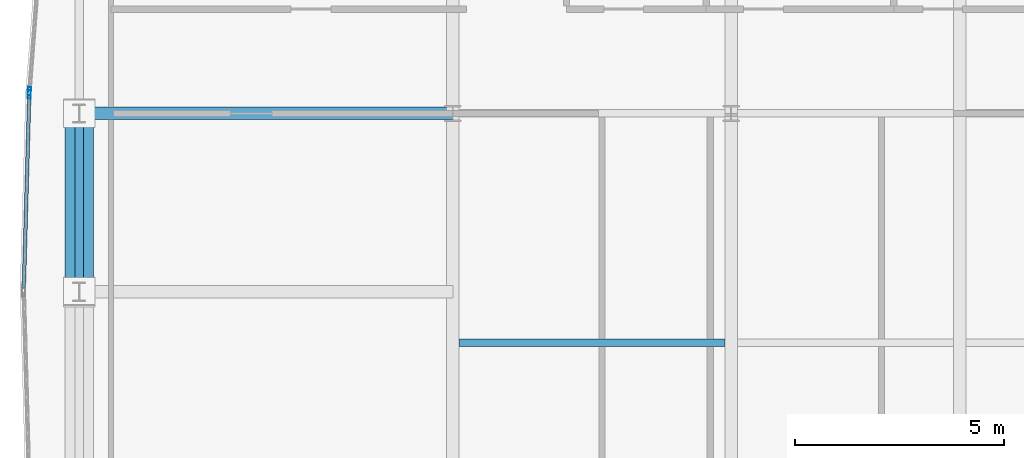
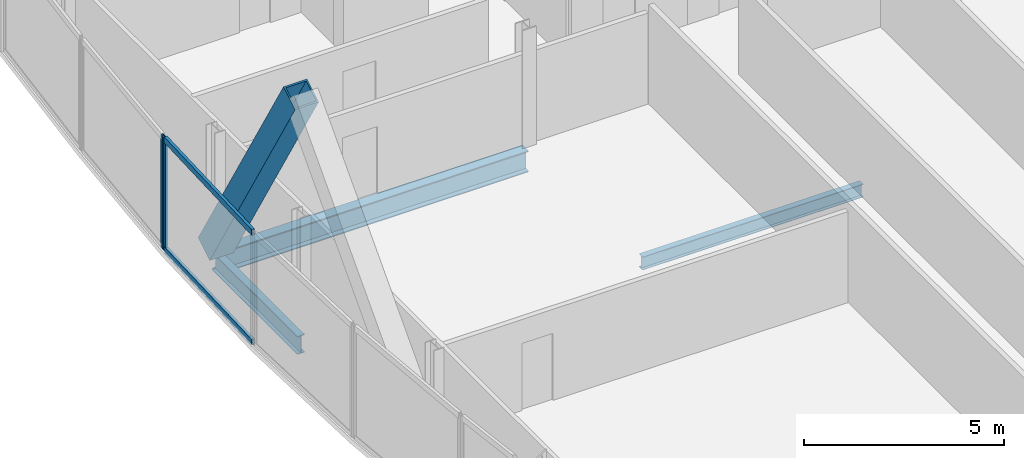
# One storey, part 11 of 30: 5 members, 3 beams, 2 elements without a shape of their own.
"""IFC4 building model written with IfcOpenShell, lengths in metres."""

from ifc_helpers import new_model, si_unit, direction, frame, origin, origin_2d, place, context, subcontext, project, spatial, hollow_rectangle, i_section, extrude, material, material_profile, profile_set, type_object, element, aggregate, save


model = new_model("IFC4")

# Units and contexts
model_context = context("Model", 3, precision=1e-05, world=origin(), true_north=direction((0.0, 1.0)))
body_context = subcontext(model_context, "Body", "Model", "MODEL_VIEW")
ifc_project = project(units=[si_unit("LENGTHUNIT", "METRE"), si_unit("AREAUNIT", "SQUARE_METRE"), si_unit("VOLUMEUNIT", "CUBIC_METRE"), si_unit("PLANEANGLEUNIT", "RADIAN"), si_unit("MASSUNIT", "GRAM", prefix="KILO")], contexts=[model_context])

# Site, building, storey
site_placement = place(None, origin())
site = spatial("IfcSite", under=ifc_project, at=site_placement, CompositionType="ELEMENT")
building_placement = place(site_placement, origin())
building = spatial("IfcBuilding", under=site, at=building_placement, Name="Khoronbel Lancet Exchange", CompositionType="ELEMENT")
storey_placement = place(building_placement, frame((0.0, 0.0, 284.199951171875)))
storey = spatial("IfcBuildingStorey", under=building, at=storey_placement, Name="L73", CompositionType="ELEMENT", Elevation=284.199951171875)

# Beams
ifc_material_1 = material(Name="Steel S355", Category="steel")
ifc_material_profile_1 = material_profile(ifc_material_1, i_section(OverallWidth=0.300048828125, OverallDepth=0.64990234375, WebThickness=0.01611328125, FlangeThickness=0.031005859375, at=origin_2d()), Name="HEB 650")
ifc_profile_set_1 = profile_set([ifc_material_profile_1], Name="Steel S355")
beam_type_1 = type_object("IfcBeamType", Name="BM-BG4", PredefinedType="BEAM", material=ifc_profile_set_1)
beam_1_placement = place(storey_placement, frame((9.27001953125, 35.699951171875, -0.48486328125), z_axis=(1.0, 0.0, 0.0), x_axis=(0.0, 1.0, 0.0)))
element("IfcBeam", 1, at=beam_1_placement, inside=storey, type_object=beam_type_1, Name="Level L73 west lens tie girder LG4W", PredefinedType="BEAM", context=body_context, shape_type="SweptSolid", body=[
    extrude(i_section(OverallWidth=0.300048828125, OverallDepth=0.64990234375, WebThickness=0.01611328125, FlangeThickness=0.031005859375, at=origin_2d()), origin(), (0.0, 0.0, 1.0), 8.955078125),
])
ifc_material_profile_2 = material_profile(ifc_material_1, i_section(OverallWidth=0.179931640625, OverallDepth=0.39990234375, WebThickness=0.008544921875, FlangeThickness=0.013427734375, at=origin_2d()), Name="IPE 400")
ifc_profile_set_2 = profile_set([ifc_material_profile_2], Name="Steel S355")
beam_type_2 = type_object("IfcBeamType", Name="BM-BJ5", PredefinedType="JOIST", material=ifc_profile_set_2)
beam_2_placement = place(storey_placement, frame((18.375, 30.199951171875, -0.35986328125), z_axis=(1.0, 0.0, 0.0), x_axis=(0.0, 1.0, 0.0)))
element("IfcBeam", 2, at=beam_2_placement, inside=storey, type_object=beam_type_2, Name="Level L73 secondary composite joist J11", PredefinedType="JOIST", context=body_context, shape_type="SweptSolid", body=[
    extrude(i_section(OverallWidth=0.179931640625, OverallDepth=0.39990234375, WebThickness=0.008544921875, FlangeThickness=0.013427734375, at=origin_2d()), origin(), (0.0, 0.0, 1.0), 6.375),
])
ifc_material_profile_3 = material_profile(ifc_material_1, i_section(OverallWidth=0.2099609375, OverallDepth=0.550048828125, WebThickness=0.010986328125, FlangeThickness=0.01708984375, at=origin_2d()), Name="IPE 550")
ifc_profile_set_3 = profile_set([ifc_material_profile_3], Name="Steel S355")
beam_type_3 = type_object("IfcBeamType", Name="BM-BSP3", PredefinedType="SPANDREL", material=ifc_profile_set_3)
beam_3_placement = place(storey_placement, frame((9.27001953125, 35.699951171875, -0.43505859375), z_axis=(0.0, -1.0, 0.0), x_axis=(1.0, 0.0, 0.0)))
element("IfcBeam", 3, at=beam_3_placement, inside=storey, type_object=beam_type_3, Name="Level L73 perimeter spandrel beam SP18", PredefinedType="SPANDREL", context=body_context, shape_type="SweptSolid", body=[
    extrude(i_section(OverallWidth=0.2099609375, OverallDepth=0.550048828125, WebThickness=0.010986328125, FlangeThickness=0.01708984375, at=origin_2d()), origin(), (0.0, 0.0, 1.0), 4.27490234375),
])

# Curtain wall, member
ifc_material_2 = material(Name="Low-E Solar Control Insulating Glass", Category="glass")
curtain_wall_type = type_object("IfcCurtainWallType", Name="CW-4", PredefinedType="NOTDEFINED", material=ifc_material_2)
curtain_wall_1_placement = place(storey_placement, origin())
curtain_wall_1 = element("IfcCurtainWall", 4, at=curtain_wall_1_placement, inside=storey, type_object=curtain_wall_type, Name="Unitised curtain wall CW-L73-E07", PredefinedType="NOTDEFINED")
ifc_material_3 = material(Name="Bronze-Anodised Aluminium 6063-T6", Category="aluminium")
ifc_material_profile_4 = material_profile(ifc_material_3, hollow_rectangle(XDim=0.074951171875, YDim=0.199951171875, WallThickness=0.0048828125, at=origin_2d()), Name="ALU MULLION 75x200")
ifc_profile_set_4 = profile_set([ifc_material_profile_4], Name="Bronze-Anodised Aluminium 6063-T6")
member_type_1 = type_object("IfcMemberType", Name="MEM-CWM2", PredefinedType="MULLION", material=ifc_profile_set_4)
member_1_placement = place(storey_placement, frame((8.07275390625, 36.15771484375, 0.0), z_axis=(0.0, 0.0, 1.0), x_axis=(-0.999602126917, 0.028206167106, 0.0)))
member_1 = element("IfcMember", 5, at=member_1_placement, type_object=member_type_1, Name="CW4 mullion 2", PredefinedType="MULLION", context=body_context, shape_type="SweptSolid", body=[
    extrude(hollow_rectangle(XDim=0.074951171875, YDim=0.199951171875, WallThickness=0.0048828125, at=origin_2d()), origin(), (0.0, 0.0, 1.0), 3.43994140625),
])

curtain_wall_2_placement = place(storey_placement, origin())
curtain_wall_2 = element("IfcCurtainWall", 6, at=curtain_wall_2_placement, inside=storey, type_object=curtain_wall_type, Name="Unitised curtain wall CW-L73-E08", PredefinedType="NOTDEFINED")
member_2_placement = place(storey_placement, frame((8.07666015625, 36.232666015625, 0.0), z_axis=(0.0, 0.0, 1.0), x_axis=(-0.997045087155, 0.076818579658, 0.0)))
member_2 = element("IfcMember", 7, at=member_2_placement, type_object=member_type_1, Name="CW4 mullion 1", PredefinedType="MULLION", context=body_context, shape_type="SweptSolid", body=[
    extrude(hollow_rectangle(XDim=0.074951171875, YDim=0.199951171875, WallThickness=0.0048828125, at=origin_2d()), origin(), (0.0, 0.0, 1.0), 3.43994140625),
])
aggregate(curtain_wall_2, [member_2])

# Member
ifc_material_profile_5 = material_profile(ifc_material_3, hollow_rectangle(XDim=0.0849609375, YDim=0.179931640625, WallThickness=0.0048828125, at=origin_2d()), Name="ALU TRANSOM 85x180")
ifc_profile_set_5 = profile_set([ifc_material_profile_5], Name="Bronze-Anodised Aluminium 6063-T6")
member_type_2 = type_object("IfcMemberType", Name="MEM-CWT1", PredefinedType="USERDEFINED", material=ifc_profile_set_5)
member_3_placement = place(storey_placement, frame((7.942138671875, 31.52490234375, 0.04248046875), z_axis=(0.028198950088, 0.999602330536, 0.0), x_axis=(-0.999602330536, 0.028198950088, 0.0)))
member_3 = element("IfcMember", 8, at=member_3_placement, type_object=member_type_2, Name="CW4 transom 1.1", ObjectType="TRANSOM", PredefinedType="USERDEFINED", context=body_context, shape_type="SweptSolid", body=[
    extrude(hollow_rectangle(XDim=0.0849609375, YDim=0.179931640625, WallThickness=0.0048828125, at=origin_2d()), origin(), (0.0, 0.0, 1.0), 4.59716796875),
])

member_4_placement = place(storey_placement, frame((7.942138671875, 31.52490234375, 3.3974609375), z_axis=(0.028198950088, 0.999602330536, 0.0), x_axis=(-0.999602330536, 0.028198950088, 0.0)))
member_4 = element("IfcMember", 9, at=member_4_placement, type_object=member_type_2, Name="CW4 transom 1.2", ObjectType="TRANSOM", PredefinedType="USERDEFINED", context=body_context, shape_type="SweptSolid", body=[
    extrude(hollow_rectangle(XDim=0.0849609375, YDim=0.179931640625, WallThickness=0.0048828125, at=origin_2d()), origin(), (0.0, 0.0, 1.0), 4.59716796875),
])

aggregate(curtain_wall_1, [member_1, member_3, member_4])

ifc_material_4 = material(Name="Steel S460", Category="steel")
ifc_material_profile_6 = material_profile(ifc_material_4, hollow_rectangle(XDim=0.679931640625, YDim=0.679931640625, WallThickness=0.044921875, at=origin_2d()), Name="BOX 680x680x45")
ifc_profile_set_6 = profile_set([ifc_material_profile_6], Name="Steel S460")
member_type_3 = type_object("IfcMemberType", Name="MEM-MB3", PredefinedType="BRACE", material=ifc_profile_set_6)
member_5_placement = place(storey_placement, frame((9.27001953125, 35.699951171875, 0.0), z_axis=(0.0, -0.510532691247, 0.859858343664), x_axis=(1.0, 0.0, 0.0)))
element("IfcMember", 10, at=member_5_placement, inside=storey, type_object=member_type_3, Name="Perimeter lancet brace tier 25 W-P-R", PredefinedType="BRACE", context=body_context, shape_type="SweptSolid", body=[
    extrude(hollow_rectangle(XDim=0.679931640625, YDim=0.679931640625, WallThickness=0.044921875, at=origin_2d()), origin(), (0.0, 0.0, 1.0), 8.37353515625),
])

save(model, "model.ifc")
